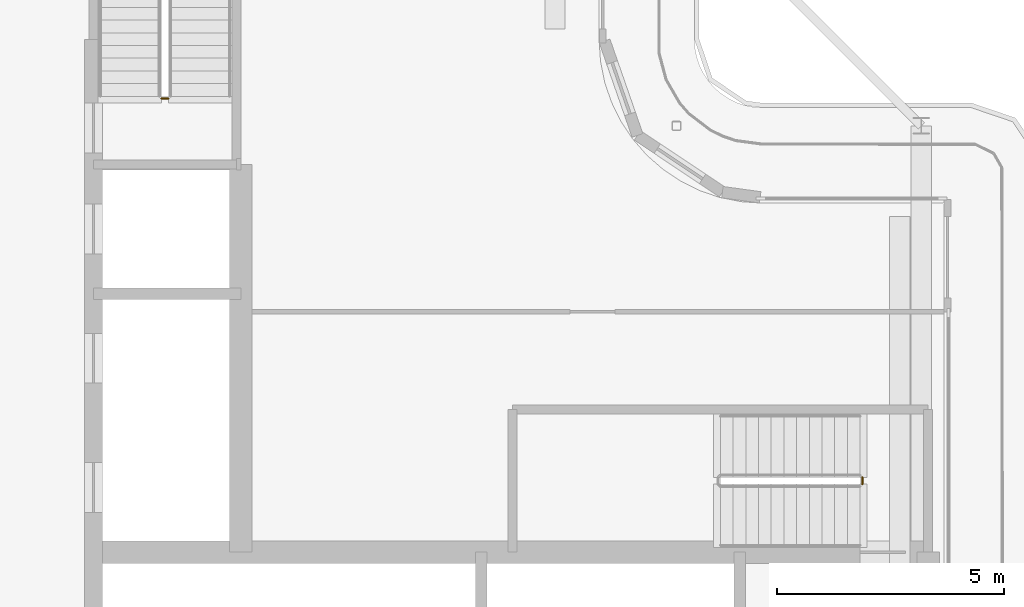
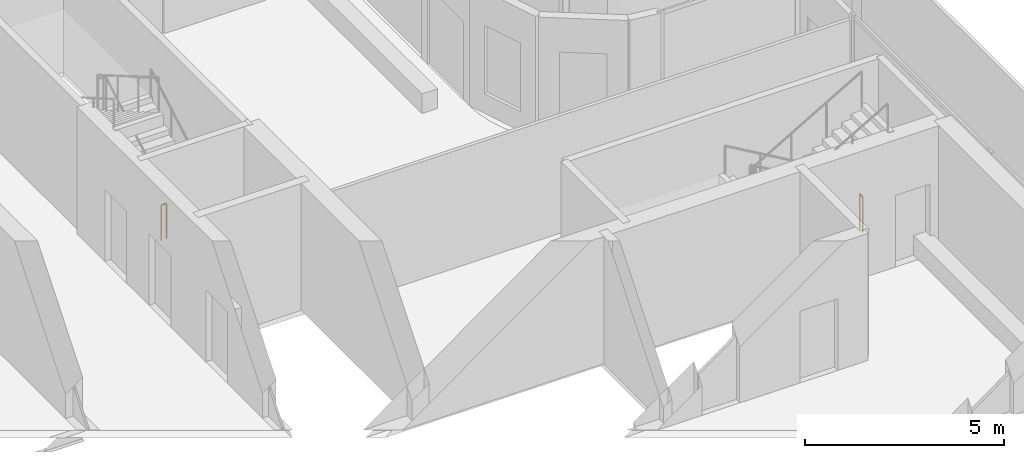
# One storey, part 14 of 18: 2 railings.
"""IFC4 building model written with IfcOpenShell, lengths in metres."""

from ifc_helpers import new_model, si_unit, direction, frame, origin, origin_2d, place, context, subcontext, project, spatial, circle, extrude, material, type_object, element, save


model = new_model("IFC4")

# Units and contexts
model_context = context("Model", 3, precision=1e-05, world=origin(), true_north=direction((0.0, 1.0)))
body_context = subcontext(model_context, "Body", "Model", "MODEL_VIEW")
ifc_project = project(units=[si_unit("LENGTHUNIT", "METRE"), si_unit("AREAUNIT", "SQUARE_METRE"), si_unit("VOLUMEUNIT", "CUBIC_METRE"), si_unit("PLANEANGLEUNIT", "RADIAN"), si_unit("MASSUNIT", "GRAM", prefix="KILO")], contexts=[model_context])

# Site, building, storey
site_placement = place(None, origin())
site = spatial("IfcSite", under=ifc_project, at=site_placement, CompositionType="ELEMENT")
building_placement = place(site_placement, origin())
building = spatial("IfcBuilding", under=site, at=building_placement, Name="Kheshtan School and Residences Tower", CompositionType="ELEMENT")
storey_placement = place(building_placement, frame((0.0, 0.0, 369.5)))
storey = spatial("IfcBuildingStorey", under=building, at=storey_placement, Name="L87", CompositionType="ELEMENT", Elevation=369.5)

# Railings
ifc_material = material(Name="Stainless steel balustrade", Category="steel")
railing_type = type_object("IfcRailingType", Name="Stair guard 1100", PredefinedType="GUARDRAIL", material=ifc_material)
railing_1_placement = place(storey_placement, frame((51.699951171875, 37.85009765625, 0.0)))
element("IfcRailing", 1, at=railing_1_placement, inside=storey, type_object=railing_type, Name="L87 ST1 stair guard 2", PredefinedType="GUARDRAIL", context=body_context, shape_type="SweptSolid", body=[
    extrude(circle(Radius=0.02392578125, at=origin_2d()), frame((0.0, 0.0, 1.076171875), z_axis=(0.0, -1.0, 0.0), x_axis=(1.0, 0.0, 0.0)), (0.0, 0.0, 1.0), 0.150146484375),
    extrude(circle(Radius=0.02099609375, at=origin_2d()), origin(), (0.0, 0.0, 1.0), 1.052001953125),
    extrude(circle(Radius=0.02099609375, at=origin_2d()), frame((0.0, -0.150146484375, 0.0)), (0.0, 0.0, 1.0), 1.052001953125),
])
railing_2_placement = place(storey_placement, frame((36.39990234375, 46.199951171875, 0.0)))
element("IfcRailing", 2, at=railing_2_placement, inside=storey, type_object=railing_type, Name="L87 ST2 stair guard 2", PredefinedType="GUARDRAIL", context=body_context, shape_type="SweptSolid", body=[
    extrude(circle(Radius=0.02392578125, at=origin_2d()), frame((0.0, 0.0, 1.076171875), z_axis=(-1.0, 0.0, 0.0), x_axis=(0.0, -1.0, 0.0)), (0.0, 0.0, 1.0), 0.14990234375),
    extrude(circle(Radius=0.02099609375, at=origin_2d()), origin(), (0.0, 0.0, 1.0), 1.052001953125),
    extrude(circle(Radius=0.02099609375, at=origin_2d()), frame((-0.14990234375, 0.0, 0.0)), (0.0, 0.0, 1.0), 1.052001953125),
])

save(model, "model.ifc")
